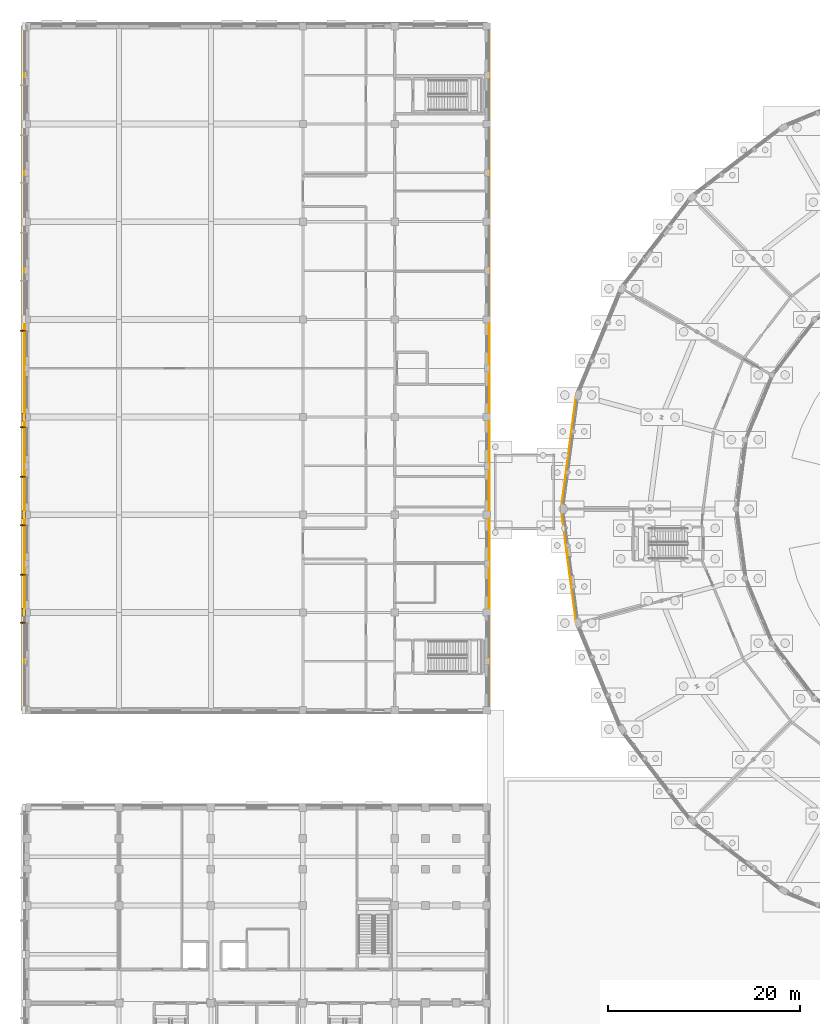
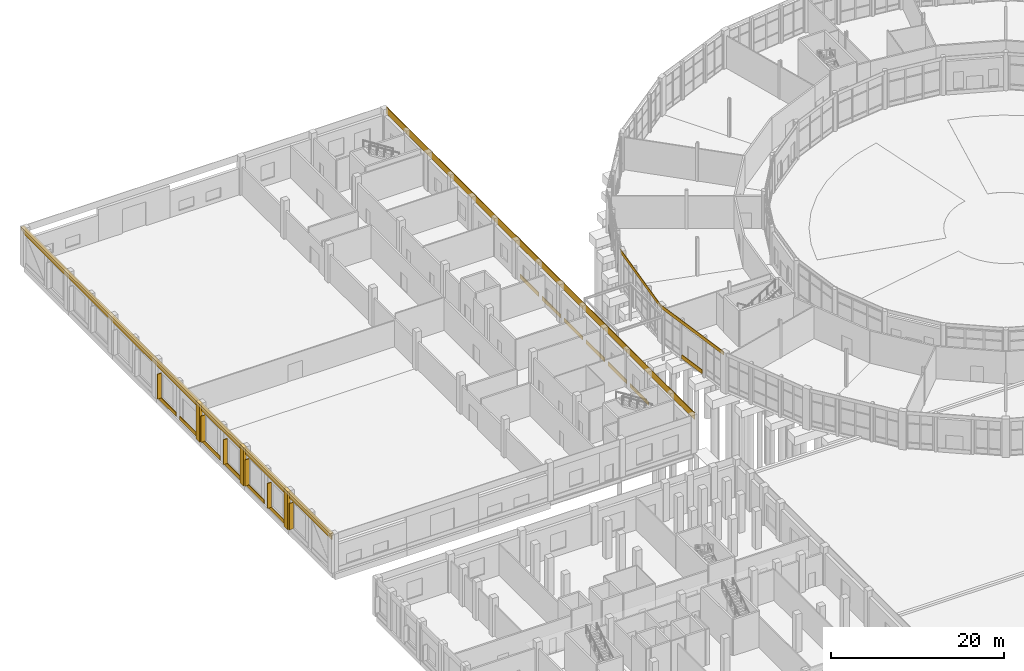
# One storey, part 125 of 137: 21 coverings, 6 shading devices.
"""IFC4 building model written with IfcOpenShell, lengths in metres."""

from ifc_helpers import new_model, si_unit, direction, frame, origin, origin_2d, place, context, subcontext, project, spatial, rectangle, extrude, material, layer, layer_set, type_object, element, save


model = new_model("IFC4")

# Units and contexts
model_context = context("Model", 3, precision=1e-05, world=origin(), true_north=direction((0.0, 1.0)))
body_context = subcontext(model_context, "Body", "Model", "MODEL_VIEW")
ifc_project = project(units=[si_unit("LENGTHUNIT", "METRE"), si_unit("AREAUNIT", "SQUARE_METRE"), si_unit("VOLUMEUNIT", "CUBIC_METRE"), si_unit("PLANEANGLEUNIT", "RADIAN"), si_unit("MASSUNIT", "GRAM", prefix="KILO")], contexts=[model_context])

# Site, building, storey
site_placement = place(None, origin())
site = spatial("IfcSite", under=ifc_project, at=site_placement, CompositionType="ELEMENT")
building_placement = place(site_placement, origin())
building = spatial("IfcBuilding", under=site, at=building_placement, Name="Vondelvale Polytechnic", CompositionType="ELEMENT")
storey_placement = place(building_placement, origin())
storey = spatial("IfcBuildingStorey", under=building, at=storey_placement, Name="L00", CompositionType="ELEMENT", Elevation=0.0)

# Coverings
ifc_material_1 = material(Name="Malmsbury bluestone ashlar stone masonry", Category="masonry")
ifc_layer_1 = layer(ifc_material_1, 0.080078125)
ifc_layer_set_1 = layer_set([ifc_layer_1], Name="COV-BLUESTONE-PLINTH")
covering_type_1 = type_object("IfcCoveringType", Name="COV-BLUESTONE-PLINTH", PredefinedType="CLADDING", material=ifc_layer_set_1)
for number, where, z_axis, x_axis, name in (
    (1, (-0.260009765625, 86.699951171875, 4.43994140625), (0.0, 0.0, 1.0), (0.0, 1.0, 0.0), "L00 exterior masonry spandrel band"),
    (2, (48.260009765625, 86.699951171875, 4.43994140625), (0.0, 0.0, 1.0), (0.0, 1.0, 0.0), "L00 exterior masonry spandrel band"),
):
    element("IfcCovering", number, at=place(storey_placement, frame(where, z_axis=z_axis, x_axis=x_axis)), inside=storey, type_object=covering_type_1, Name=name, PredefinedType="CLADDING", context=body_context, shape_type="SweptSolid", body=[
        extrude(rectangle(XDim=71.39990234375, YDim=0.080078125, at=origin_2d()), origin(), (0.0, 0.0, 1.0), 0.9599609375),
    ])
for number, where, z_axis, x_axis, name in (
    (3, (-0.236083984375, 63.762451171875, 0.0), (0.0, 0.0, 1.0), (0.0, 1.0, 0.0), "L00 exterior corbelled masonry relief band"),
    (4, (-0.236083984375, 68.83740234375, 0.0), (0.0, 0.0, 1.0), (0.0, 1.0, 0.0), "L00 exterior corbelled masonry relief band"),
    (5, (-0.236083984375, 73.96240234375, 0.0), (0.0, 0.0, 1.0), (0.0, 1.0, 0.0), "L00 exterior corbelled masonry relief band"),
    (6, (-0.236083984375, 79.03759765625, 0.0), (0.0, 0.0, 1.0), (0.0, 1.0, 0.0), "L00 exterior corbelled masonry relief band"),
    (7, (-0.236083984375, 84.16259765625, 0.0), (0.0, 0.0, 1.0), (0.0, 1.0, 0.0), "L00 exterior corbelled masonry relief band"),
    (8, (-0.236083984375, 89.237548828125, 0.0), (0.0, 0.0, 1.0), (0.0, 1.0, 0.0), "L00 exterior corbelled masonry relief band"),
    (9, (48.236083984375, 63.762451171875, 0.0), (0.0, 0.0, 1.0), (0.0, -1.0, 0.0), "L00 exterior corbelled masonry relief band"),
    (10, (48.236083984375, 68.83740234375, 0.0), (0.0, 0.0, 1.0), (0.0, -1.0, 0.0), "L00 exterior corbelled masonry relief band"),
    (11, (48.236083984375, 73.96240234375, 0.0), (0.0, 0.0, 1.0), (0.0, -1.0, 0.0), "L00 exterior corbelled masonry relief band"),
    (12, (48.236083984375, 79.03759765625, 0.0), (0.0, 0.0, 1.0), (0.0, -1.0, 0.0), "L00 exterior corbelled masonry relief band"),
    (13, (48.236083984375, 84.16259765625, 0.0), (0.0, 0.0, 1.0), (0.0, -1.0, 0.0), "L00 exterior corbelled masonry relief band"),
    (14, (48.236083984375, 89.237548828125, 0.0), (0.0, 0.0, 1.0), (0.0, -1.0, 0.0), "L00 exterior corbelled masonry relief band"),
):
    element("IfcCovering", number, at=place(storey_placement, frame(where, z_axis=z_axis, x_axis=x_axis)), inside=storey, type_object=covering_type_1, Name=name, PredefinedType="CLADDING", context=body_context, shape_type="SweptSolid", body=[
        extrude(rectangle(XDim=4.31298828125, YDim=0.080078125, at=origin_2d()), origin(), (0.0, 0.0, 1.0), 0.550048828125),
    ])
covering_1_placement = place(storey_placement, frame((56.574462890625, 66.01953125, 0.0), z_axis=(0.0, 0.0, 1.0), x_axis=(-0.13052619222, 0.991444861374, 0.0)))
element("IfcCovering", 15, at=covering_1_placement, inside=storey, type_object=covering_type_1, Name="L00 exterior corbelled masonry relief band", PredefinedType="CLADDING", context=body_context, shape_type="SweptSolid", body=[
    extrude(rectangle(XDim=3.81103515625, YDim=0.080078125, at=origin_2d()), origin(), (0.0, 0.0, 1.0), 0.550048828125),
])
for number, where, z_axis, x_axis, name in (
    (16, (-0.340087890625, 61.199951171875, 0.0), (0.0, 0.0, 1.0), (1.0, 0.0, 0.0), "L00 Workshop giant-order brick buttress pier"),
    (17, (-0.340087890625, 71.39990234375, 0.0), (0.0, 0.0, 1.0), (1.0, 0.0, 0.0), "L00 Workshop giant-order brick buttress pier"),
    (18, (-0.340087890625, 81.60009765625, 0.0), (0.0, 0.0, 1.0), (1.0, 0.0, 0.0), "L00 Workshop giant-order brick buttress pier"),
):
    element("IfcCovering", number, at=place(storey_placement, frame(where, z_axis=z_axis, x_axis=x_axis)), inside=storey, type_object=covering_type_1, Name=name, PredefinedType="CLADDING", context=body_context, shape_type="SweptSolid", body=[
        extrude(rectangle(XDim=0.39990234375, YDim=0.780029296875, at=origin_2d()), origin(), (0.0, 0.0, 1.0), 5.39990234375),
    ])
covering_2_placement = place(storey_placement, frame((-0.360107421875, 86.699951171875, 5.0400390625), z_axis=(0.0, 0.0, 1.0), x_axis=(1.0, 0.0, 0.0)))
element("IfcCovering", 19, at=covering_2_placement, inside=storey, type_object=covering_type_1, Name="L00 Workshop bluestone plinth cornice", PredefinedType="CLADDING", context=body_context, shape_type="SweptSolid", body=[
    extrude(rectangle(XDim=0.43994140625, YDim=71.60009765625, at=origin_2d()), origin(), (0.0, 0.0, 1.0), 0.419921875),
])
ifc_material_2 = material(Name="Engineered Tasmanian oak studio and bridge joinery")
ifc_layer_2 = layer(ifc_material_2, 0.06494140625)
ifc_layer_set_2 = layer_set([ifc_layer_2], Name="COV-OAK-SPANDREL")
covering_type_2 = type_object("IfcCoveringType", Name="COV-OAK-SPANDREL", PredefinedType="CLADDING", material=ifc_layer_set_2)
for number, where, z_axis, x_axis, name in (
    (20, (56.57470703125, 77.980224609375, 4.919921875), (0.0, 0.0, 1.0), (-0.13052619222, -0.991444861374, 0.0), "L00 exterior masonry spandrel band"),
    (21, (56.57470703125, 66.019775390625, 4.919921875), (0.0, 0.0, 1.0), (0.13052619222, -0.991444861374, 0.0), "L00 exterior masonry spandrel band"),
):
    element("IfcCovering", number, at=place(storey_placement, frame(where, z_axis=z_axis, x_axis=x_axis)), inside=storey, type_object=covering_type_2, Name=name, PredefinedType="CLADDING", context=body_context, shape_type="SweptSolid", body=[
        extrude(rectangle(XDim=12.00830078125, YDim=0.06494140625, at=origin_2d()), origin(), (0.0, 0.0, 1.0), 0.47998046875),
    ])

# Shading devices
ifc_material_3 = material(Name="Kiln-fired architectural terracotta", Category="masonry")
shading_device_type = type_object("IfcShadingDeviceType", Name="SHD-TERRA-FIN-550", PredefinedType="JALOUSIE", material=ifc_material_3)
shading_device_1_placement = place(storey_placement, frame((-0.4599609375, 60.12744140625, 0.490234375), z_axis=(0.0, 0.0, 1.0), x_axis=(0.0, 1.0, 0.0)))
element("IfcShadingDevice", 22, at=shading_device_1_placement, inside=storey, type_object=shading_device_type, Name="L00 vertical terracotta solar fin", PredefinedType="JALOUSIE", context=body_context, shape_type="SweptSolid", body=[
    extrude(rectangle(XDim=0.110107421875, YDim=0.550048828125, at=origin_2d()), origin(), (0.0, 0.0, 1.0), 3.719970703125),
])
shading_device_2_placement = place(storey_placement, frame((-0.4599609375, 65.152587890625, 0.489990234375), z_axis=(0.0, 0.0, 1.0), x_axis=(0.0, 1.0, 0.0)))
element("IfcShadingDevice", 23, at=shading_device_2_placement, inside=storey, type_object=shading_device_type, Name="L00 vertical terracotta solar fin", PredefinedType="JALOUSIE", context=body_context, shape_type="SweptSolid", body=[
    extrude(rectangle(XDim=0.110107421875, YDim=0.550048828125, at=origin_2d()), origin(), (0.0, 0.0, 1.0), 3.52001953125),
])
shading_device_3_placement = place(storey_placement, frame((-0.4599609375, 70.327392578125, 0.490234375), z_axis=(0.0, 0.0, 1.0), x_axis=(0.0, 1.0, 0.0)))
element("IfcShadingDevice", 24, at=shading_device_3_placement, inside=storey, type_object=shading_device_type, Name="L00 vertical terracotta solar fin", PredefinedType="JALOUSIE", context=body_context, shape_type="SweptSolid", body=[
    extrude(rectangle(XDim=0.110107421875, YDim=0.550048828125, at=origin_2d()), origin(), (0.0, 0.0, 1.0), 3.719970703125),
])
shading_device_4_placement = place(storey_placement, frame((-0.4599609375, 75.3525390625, 0.489990234375), z_axis=(0.0, 0.0, 1.0), x_axis=(0.0, 1.0, 0.0)))
element("IfcShadingDevice", 25, at=shading_device_4_placement, inside=storey, type_object=shading_device_type, Name="L00 vertical terracotta solar fin", PredefinedType="JALOUSIE", context=body_context, shape_type="SweptSolid", body=[
    extrude(rectangle(XDim=0.110107421875, YDim=0.550048828125, at=origin_2d()), origin(), (0.0, 0.0, 1.0), 3.52001953125),
])
shading_device_5_placement = place(storey_placement, frame((-0.4599609375, 80.527587890625, 0.490234375), z_axis=(0.0, 0.0, 1.0), x_axis=(0.0, 1.0, 0.0)))
element("IfcShadingDevice", 26, at=shading_device_5_placement, inside=storey, type_object=shading_device_type, Name="L00 vertical terracotta solar fin", PredefinedType="JALOUSIE", context=body_context, shape_type="SweptSolid", body=[
    extrude(rectangle(XDim=0.110107421875, YDim=0.550048828125, at=origin_2d()), origin(), (0.0, 0.0, 1.0), 3.719970703125),
])
shading_device_6_placement = place(storey_placement, frame((-0.4599609375, 90.62744140625, 0.489990234375), z_axis=(0.0, 0.0, 1.0), x_axis=(0.0, 1.0, 0.0)))
element("IfcShadingDevice", 27, at=shading_device_6_placement, inside=storey, type_object=shading_device_type, Name="L00 vertical terracotta solar fin", PredefinedType="JALOUSIE", context=body_context, shape_type="SweptSolid", body=[
    extrude(rectangle(XDim=0.110107421875, YDim=0.550048828125, at=origin_2d()), origin(), (0.0, 0.0, 1.0), 3.52001953125),
])

save(model, "model.ifc")
